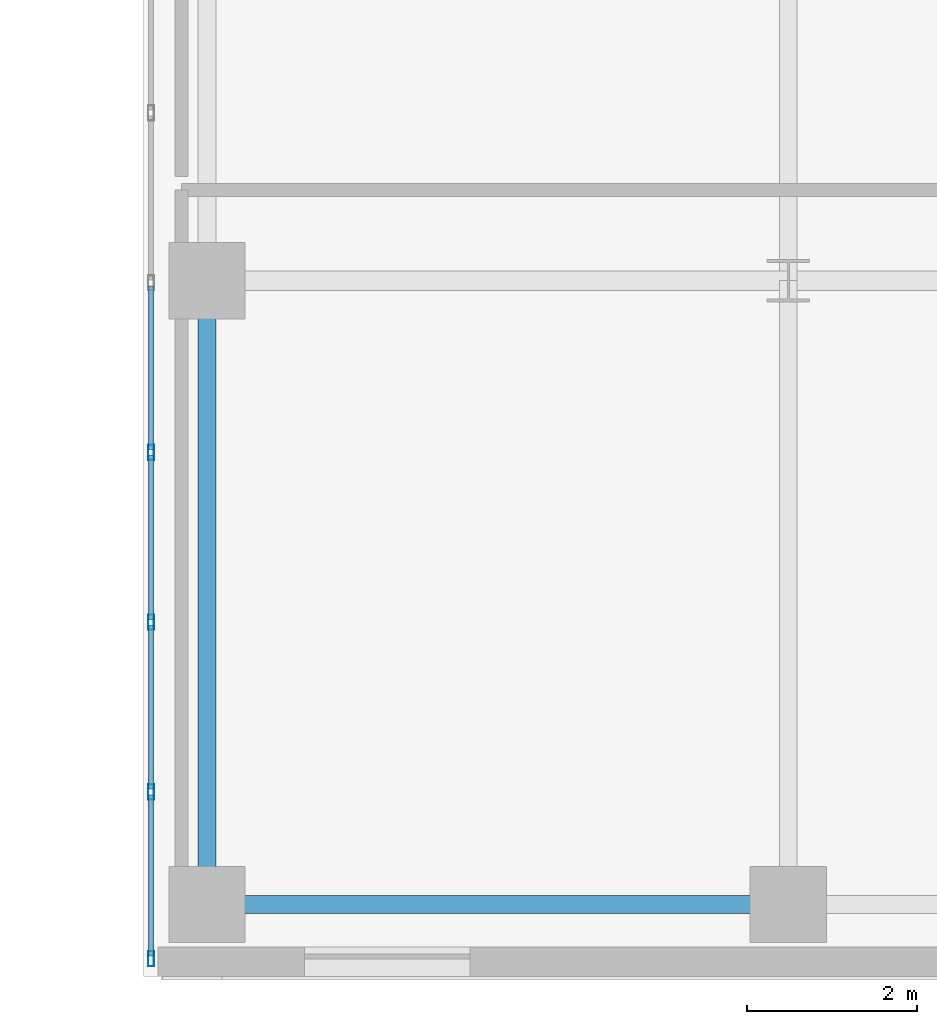
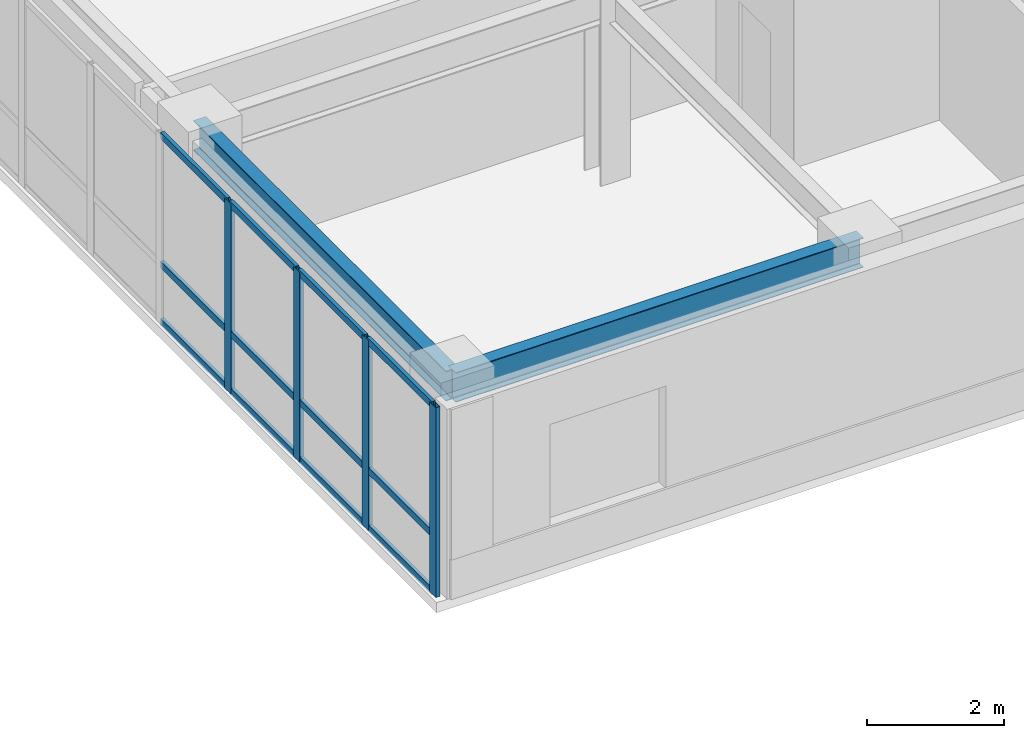
# One storey, part 7 of 24: 16 members, 2 beams, 1 element without a shape of its own.
"""IFC4 building model written with IfcOpenShell, lengths in metres."""

import ifcopenshell
import ifcopenshell.guid

model = None  # the IFC model being written
_history = None  # IfcOwnerHistory: only IFC2X3 demands one
_inside = {}  # id of a spatial element -> (the spatial element, [elements in it])
_under = {}  # id of a project, library or spatial element -> (it, [spatial elements below it])
_declared = {}  # id of a project -> (the project, [libraries it declares])
_typed = {}  # id of a type object -> (the type object, [elements of that type])
_made_of = {}  # id of a material, layer set ... -> (it, [elements and type objects made of it])


def new_model(schema):
    """Start an empty IFC model of exactly this schema.

    Asked for "IFC4X3", IfcOpenShell would pick the latest addendum, in which some entities
    have other attributes; the version numbers below select the first issue.
    IFC2X3 requires an IfcOwnerHistory on every rooted entity: one is made here for all.
    """
    global model, _history
    if schema == "IFC4X3":
        model = ifcopenshell.file(schema_version=(4, 3, 0, 0))
    else:
        model = ifcopenshell.file(schema=schema)
    _inside.clear()
    _under.clear()
    _declared.clear()
    _typed.clear()
    _made_of.clear()
    _history = None
    if model.schema == "IFC2X3":
        org = make("IfcOrganization", Name="unknown")
        user = make(
            "IfcPersonAndOrganization",
            ThePerson=make("IfcPerson", FamilyName="unknown"),
            TheOrganization=org,
        )
        app = make(
            "IfcApplication",
            ApplicationDeveloper=org,
            Version="unknown",
            ApplicationFullName="unknown",
            ApplicationIdentifier="unknown",
        )
        _history = make(
            "IfcOwnerHistory",
            OwningUser=user,
            OwningApplication=app,
            ChangeAction="ADDED",
            CreationDate=0,
        )
    return model


def make(cls, **values):
    """One entity of the class cls with the attributes given. An attribute that is None is left unset."""
    return model.create_entity(
        cls, **{name: value for name, value in values.items() if value is not None}
    )


def rooted(cls, **values):
    """An entity with a GlobalId (a new one), such as an element, a storey or a relation."""
    return make(cls, GlobalId=ifcopenshell.guid.new(), OwnerHistory=_history, **values)


def si_unit(unit_type, name, prefix=None):
    """IfcSIUnit, for example si_unit("LENGTHUNIT", "METRE", prefix="MILLI")."""
    return make("IfcSIUnit", UnitType=unit_type, Prefix=prefix, Name=name)


def assignment(units):
    """IfcUnitAssignment: the units of a project."""
    return None if units is None else make("IfcUnitAssignment", Units=units)


def point(xyz):
    """IfcCartesianPoint."""
    return None if xyz is None else make("IfcCartesianPoint", Coordinates=xyz)


def direction(xyz):
    """IfcDirection."""
    return None if xyz is None else make("IfcDirection", DirectionRatios=xyz)


def frame(location, z_axis=None, x_axis=None):
    """IfcAxis2Placement3D, a coordinate frame: its origin and axes. An axis left out is left unset."""
    return make(
        "IfcAxis2Placement3D",
        Location=point(location),
        Axis=direction(z_axis),
        RefDirection=direction(x_axis),
    )


def frame_2d(location, x_axis=None):
    """IfcAxis2Placement2D, a coordinate frame in the plane: its origin and x axis."""
    return make(
        "IfcAxis2Placement2D", Location=point(location), RefDirection=direction(x_axis)
    )


def origin():
    """The frame at (0, 0, 0) with its axes left unset."""
    return frame((0.0, 0.0, 0.0))


def origin_2d():
    """The frame at (0, 0) in the plane with its x axis left unset."""
    return frame_2d((0.0, 0.0))


def place(relative_to, where):
    """IfcLocalPlacement: puts the frame where relative to a parent placement (None: the world)."""
    return make(
        "IfcLocalPlacement", PlacementRelTo=relative_to, RelativePlacement=where
    )


def context(
    kind, dimensions, precision=None, world=None, true_north=None, identifier=None
):
    """IfcGeometricRepresentationContext, for example the 3D "Model" context."""
    return make(
        "IfcGeometricRepresentationContext",
        ContextIdentifier=identifier,
        ContextType=kind,
        CoordinateSpaceDimension=dimensions,
        Precision=precision,
        WorldCoordinateSystem=world,
        TrueNorth=true_north,
    )


def subcontext(parent, identifier, kind, view, scale=None):
    """IfcGeometricRepresentationSubContext, for example "Body" below "Model"."""
    return make(
        "IfcGeometricRepresentationSubContext",
        ContextIdentifier=identifier,
        ContextType=kind,
        ParentContext=parent,
        TargetScale=scale,
        TargetView=view,
    )


def project(units=None, contexts=None):
    """IfcProject with its units and contexts."""
    return rooted(
        "IfcProject",
        Name="project",
        RepresentationContexts=contexts,
        UnitsInContext=assignment(units),
    )


def spatial(cls, under=None, at=None, **own):
    """A site, building, storey or space (cls), placed at a placement, below another one or the project."""
    s = rooted(cls, ObjectPlacement=at, **own)
    if under is not None:
        _under.setdefault(under.id(), (under, []))[1].append(s)
    return s


def profile(cls, at=None, kind="AREA", **sizes):
    """A parametric profile (cls). Its sizes go by their IFC names, for example OverallWidth=200.0."""
    return make(cls, ProfileType=kind, Position=at, **sizes)


def hollow_rectangle(**sizes):
    """IfcRectangleHollowProfileDef."""
    return profile("IfcRectangleHollowProfileDef", **sizes)


def i_section(**sizes):
    """IfcIShapeProfileDef."""
    return profile("IfcIShapeProfileDef", **sizes)


def extrude(swept, where, along, depth):
    """IfcExtrudedAreaSolid: the profile swept, set in the frame where, extruded along a direction by depth."""
    return make(
        "IfcExtrudedAreaSolid",
        SweptArea=swept,
        Position=where,
        ExtrudedDirection=direction(along),
        Depth=depth,
    )


def shape(context_of_items, identifier, shape_type, items):
    """IfcShapeRepresentation: the items that make up one representation, for example the "Body"."""
    return make(
        "IfcShapeRepresentation",
        ContextOfItems=context_of_items,
        RepresentationIdentifier=identifier,
        RepresentationType=shape_type,
        Items=items,
    )


def source(mapping_origin, context_of_items, identifier, shape_type, items):
    """IfcRepresentationMap: a shape defined once, which mapped items show again and again."""
    return make(
        "IfcRepresentationMap",
        MappingOrigin=mapping_origin,
        MappedRepresentation=shape(context_of_items, identifier, shape_type, items),
    )


def transform(
    local_origin,
    x_axis=None,
    y_axis=None,
    z_axis=None,
    scale=None,
    scale2=None,
    scale3=None,
    uniform=True,
):
    """IfcCartesianTransformationOperator3D, or its non-uniform kind. x_axis, y_axis, z_axis: its Axis1, 2, 3."""
    if uniform:
        return make(
            "IfcCartesianTransformationOperator3D",
            Axis1=direction(x_axis),
            Axis2=direction(y_axis),
            LocalOrigin=point(local_origin),
            Scale=scale,
            Axis3=direction(z_axis),
        )
    return make(
        "IfcCartesianTransformationOperator3DnonUniform",
        Axis1=direction(x_axis),
        Axis2=direction(y_axis),
        LocalOrigin=point(local_origin),
        Scale=scale,
        Axis3=direction(z_axis),
        Scale2=scale2,
        Scale3=scale3,
    )


def mapped(mapping_source, mapping_target):
    """IfcMappedItem: shows the shape of a source again, moved by a transform."""
    return make(
        "IfcMappedItem", MappingSource=mapping_source, MappingTarget=mapping_target
    )


def material(Name=None, Category=None):
    """IfcMaterial."""
    return make("IfcMaterial", Name=Name, Category=Category)


def layer(
    of_material, thickness, ventilated=None, Name=None, Category=None, Priority=None
):
    """IfcMaterialLayer: one layer of a wall or slab, of a material (None: an air gap)."""
    return make(
        "IfcMaterialLayer",
        Material=of_material,
        LayerThickness=thickness,
        IsVentilated=ventilated,
        Name=Name,
        Category=Category,
        Priority=Priority,
    )


def layer_set(layers, Name=None):
    """IfcMaterialLayerSet."""
    return make("IfcMaterialLayerSet", MaterialLayers=layers, LayerSetName=Name)


def material_profile(
    of_material, cross_section, Name=None, Category=None, Priority=None
):
    """IfcMaterialProfile: a cross section and its material."""
    return make(
        "IfcMaterialProfile",
        Name=Name,
        Material=of_material,
        Profile=cross_section,
        Priority=Priority,
        Category=Category,
    )


def profile_set(profiles, Name=None, composite=None):
    """IfcMaterialProfileSet."""
    return make(
        "IfcMaterialProfileSet",
        Name=Name,
        MaterialProfiles=profiles,
        CompositeProfile=composite,
    )


def made_of(thing, what):
    """Note that an element or type object is made of a material, layer set ...; save() writes the relation."""
    if what is not None:
        _made_of.setdefault(what.id(), (what, []))[1].append(thing)
    return thing


def type_object(cls, material=None, **own):
    """A type object (cls), such as IfcWallType, which elements share."""
    return made_of(rooted(cls, **own), material)


def type_shapes(of_type, sources):
    """Give a type object the sources (RepresentationMaps) that its elements show as mapped items."""
    of_type.RepresentationMaps = sources


def element(
    cls,
    number,
    at=None,
    inside=None,
    cuts=None,
    type_object=None,
    material=None,
    context=None,
    identifier="Body",
    shape_type=None,
    held_by="IfcProductDefinitionShape",
    body=None,
    shapes=None,
    **own,
):
    """One element of the class cls, such as IfcWall. Its Tag is "e" and its number.

    at: its placement. inside: the storey or other place that contains it. cuts: it is an
    opening in that element (IfcRelVoidsElement). A single representation is given by context,
    identifier, shape_type and body (its items); several are given by shapes. held_by: the class
    of the entity that holds the representations. save() writes the other relations.
    """
    e = rooted(cls, Tag="e%d" % number, ObjectPlacement=at, **own)
    if body is not None:
        shapes = [shape(context, identifier, shape_type, body)]
    if shapes is not None:
        e.Representation = make(held_by, Representations=shapes)
    if inside is not None:
        _inside.setdefault(inside.id(), (inside, []))[1].append(e)
    if cuts is not None:
        rooted(
            "IfcRelVoidsElement", RelatingBuildingElement=cuts, RelatedOpeningElement=e
        )
    if type_object is not None:
        _typed.setdefault(type_object.id(), (type_object, []))[1].append(e)
    return made_of(e, material)


def aggregate(whole, parts):
    """IfcRelAggregates: a whole, such as a stair, and the parts it consists of."""
    return rooted("IfcRelAggregates", RelatingObject=whole, RelatedObjects=parts)


def save(model, path):
    """Write the relations noted so far, then the file.

    IfcRelAggregates (storeys below a building ...), IfcRelContainedInSpatialStructure (elements
    in a storey), IfcRelDefinesByType, IfcRelAssociatesMaterial and IfcRelDeclares: one each for
    every whole, place, type object, material and project.
    """
    for whole, parts in _under.values():
        aggregate(whole, parts)
    for where, things in _inside.values():
        rooted(
            "IfcRelContainedInSpatialStructure",
            RelatedElements=things,
            RelatingStructure=where,
        )
    for kind, things in _typed.values():
        rooted("IfcRelDefinesByType", RelatedObjects=things, RelatingType=kind)
    for what, things in _made_of.values():
        rooted("IfcRelAssociatesMaterial", RelatedObjects=things, RelatingMaterial=what)
    for by, libraries in _declared.values():
        rooted("IfcRelDeclares", RelatingContext=by, RelatedDefinitions=libraries)
    model.write(path)


model = new_model("IFC4")

# Units and contexts
model_context = context("Model", 3, precision=1e-05, world=origin(), true_north=direction((0.0, 1.0)))
body_context = subcontext(model_context, "Body", "Model", "MODEL_VIEW")
ifc_project = project(units=[si_unit("LENGTHUNIT", "METRE"), si_unit("AREAUNIT", "SQUARE_METRE"), si_unit("VOLUMEUNIT", "CUBIC_METRE"), si_unit("PLANEANGLEUNIT", "RADIAN"), si_unit("MASSUNIT", "GRAM", prefix="KILO")], contexts=[model_context])

# Site, building, storey
site_placement = place(None, origin())
site = spatial("IfcSite", under=ifc_project, at=site_placement, CompositionType="ELEMENT")
building_placement = place(site_placement, origin())
building = spatial("IfcBuilding", under=site, at=building_placement, Name="Tolvann Quenvar Hotel", CompositionType="ELEMENT")
storey_placement = place(building_placement, frame((0.0, 0.0, 88.800048828125)))
storey = spatial("IfcBuildingStorey", under=building, at=storey_placement, Name="L22", CompositionType="ELEMENT", Elevation=88.800048828125)

# Beams
ifc_material_1 = material(Name="Steel Grade 350", Category="steel")
ifc_material_profile_1 = material_profile(ifc_material_1, i_section(OverallWidth=0.208984375, OverallDepth=0.528076171875, WebThickness=0.009521484375, FlangeThickness=0.01318359375, FilletRadius=0.013916015625, at=origin_2d()), Name="530UB82")
ifc_profile_set_1 = profile_set([ifc_material_profile_1], Name="Steel Grade 350")
beam_type_1 = type_object("IfcBeamType", Name="BM_SPAND_530UB82", PredefinedType="SPANDREL", material=ifc_profile_set_1)
shared_shape_1 = source(origin(), body_context, "Body", "SweptSolid", [
    extrude(i_section(OverallWidth=0.208984375, OverallDepth=0.528076171875, WebThickness=0.009521484375, FlangeThickness=0.01318359375, FilletRadius=0.013916015625, at=origin_2d()), origin(), (0.0, 0.0, 1.0), 6.85009765625),
])
type_shapes(beam_type_1, [shared_shape_1])
beam_1_placement = place(storey_placement, frame((34.949951171875, 0.85009765625, 3.10595703125), z_axis=(1.0, 0.0, 0.0), x_axis=(0.0, 1.0, 0.0)))
element("IfcBeam", 1, at=beam_1_placement, inside=storey, type_object=beam_type_1, Name="BM-L22-EW-2-F2-H2", PredefinedType="SPANDREL", context=body_context, shape_type="MappedRepresentation", body=[
    mapped(shared_shape_1, transform((0.0, 0.0, 0.0), x_axis=(1.0, 0.0, 0.0), y_axis=(0.0, 1.0, 0.0), z_axis=(0.0, 0.0, 1.0), scale=1.0)),
])
ifc_material_profile_2 = material_profile(ifc_material_1, i_section(OverallWidth=0.208984375, OverallDepth=0.532958984375, WebThickness=0.01025390625, FlangeThickness=0.015625, FilletRadius=0.013916015625, at=origin_2d()), Name="530UB92")
ifc_profile_set_2 = profile_set([ifc_material_profile_2], Name="Steel Grade 350")
beam_type_2 = type_object("IfcBeamType", Name="BM_GIRD_530UB92", PredefinedType="BEAM", material=ifc_profile_set_2)
shared_shape_2 = source(origin(), body_context, "Body", "SweptSolid", [
    extrude(i_section(OverallWidth=0.208984375, OverallDepth=0.532958984375, WebThickness=0.01025390625, FlangeThickness=0.015625, FilletRadius=0.013916015625, at=origin_2d()), origin(), (0.0, 0.0, 1.0), 7.349853515625),
])
type_shapes(beam_type_2, [shared_shape_2])
beam_2_placement = place(storey_placement, frame((34.949951171875, 0.85009765625, 3.103515625), z_axis=(0.0, 1.0, 0.0), x_axis=(-1.0, 0.0, 0.0)))
element("IfcBeam", 2, at=beam_2_placement, inside=storey, type_object=beam_type_2, Name="BM-L22-NS-F2-F3", PredefinedType="BEAM", context=body_context, shape_type="MappedRepresentation", body=[
    mapped(shared_shape_2, transform((0.0, 0.0, 0.0), x_axis=(1.0, 0.0, 0.0), y_axis=(0.0, 1.0, 0.0), z_axis=(0.0, 0.0, 1.0), scale=1.0)),
])

# Curtain wall, members
ifc_material_2 = material(Name="Thermally broken anodised architectural aluminium 6063-T6 and laminated low-E glass", Category="aluminium")
ifc_layer = layer(ifc_material_2, 0.179931640625)
ifc_layer_set = layer_set([ifc_layer], Name="Thermally broken anodised architectural aluminium 6063-T6 and laminated low-E glass")
curtain_wall_type = type_object("IfcCurtainWallType", Name="CW_SYS_SLOT_03", PredefinedType="USERDEFINED", material=ifc_layer_set)
curtain_wall_placement = place(storey_placement, origin())
curtain_wall = element("IfcCurtainWall", 3, at=curtain_wall_placement, inside=storey, type_object=curtain_wall_type, Name="Curtain Wall CW-SLOT-03 (CWR-L22-E07)", ObjectType="UNITISED CURTAIN WALL", PredefinedType="USERDEFINED")
ifc_material_3 = material(Name="Anodised architectural aluminium 6063-T6 framing", Category="aluminium")
ifc_material_profile_3 = material_profile(ifc_material_3, hollow_rectangle(XDim=0.06005859375, YDim=0.1201171875, WallThickness=0.00341796875, at=origin_2d()), Name="120x60x3.5RHS")
ifc_profile_set_3 = profile_set([ifc_material_profile_3], Name="Anodised architectural aluminium 6063-T6 framing")
member_type_1 = type_object("IfcMemberType", Name="CW_TRAN_120x60", PredefinedType="USERDEFINED", material=ifc_profile_set_3)
shared_shape_3 = source(origin(), body_context, "Body", "SweptSolid", [
    extrude(hollow_rectangle(XDim=0.06005859375, YDim=0.1201171875, WallThickness=0.00341796875, at=origin_2d()), origin(), (0.0, 0.0, 1.0), 1.894775390625),
])
member_1_placement = place(storey_placement, frame((34.2900390625, 2.139892578125, 0.030029296875), z_axis=(0.0, -1.0, 0.0), x_axis=(1.0, 0.0, 0.0)))
member_1 = element("IfcMember", 4, at=member_1_placement, type_object=member_type_1, Name="CW-SLOT-03 transom 8.1", ObjectType="TRANSOM", PredefinedType="USERDEFINED", context=body_context, shape_type="MappedRepresentation", body=[
    mapped(shared_shape_3, transform((0.0, 0.0, 0.0), x_axis=(1.0, 0.0, 0.0), y_axis=(0.0, 1.0, 0.0), z_axis=(0.0, 0.0, 1.0), scale=1.0)),
])
member_2_placement = place(storey_placement, frame((34.2900390625, 2.139892578125, 1.050048828125), z_axis=(0.0, -1.0, 0.0), x_axis=(1.0, 0.0, 0.0)))
member_2 = element("IfcMember", 5, at=member_2_placement, type_object=member_type_1, Name="CW-SLOT-03 transom 8.2", ObjectType="TRANSOM", PredefinedType="USERDEFINED", context=body_context, shape_type="MappedRepresentation", body=[
    mapped(shared_shape_3, transform((0.0, 0.0, 0.0), x_axis=(1.0, 0.0, 0.0), y_axis=(0.0, 1.0, 0.0), z_axis=(0.0, 0.0, 1.0), scale=1.0)),
])
member_3_placement = place(storey_placement, frame((34.2900390625, 2.139892578125, 3.33984375), z_axis=(0.0, -1.0, 0.0), x_axis=(1.0, 0.0, 0.0)))
member_3 = element("IfcMember", 6, at=member_3_placement, type_object=member_type_1, Name="CW-SLOT-03 transom 8.3", ObjectType="TRANSOM", PredefinedType="USERDEFINED", context=body_context, shape_type="MappedRepresentation", body=[
    mapped(shared_shape_3, transform((0.0, 0.0, 0.0), x_axis=(1.0, 0.0, 0.0), y_axis=(0.0, 1.0, 0.0), z_axis=(0.0, 0.0, 1.0), scale=1.0)),
])
shared_shape_4 = source(origin(), body_context, "Body", "SweptSolid", [
    extrude(hollow_rectangle(XDim=0.06005859375, YDim=0.1201171875, WallThickness=0.00341796875, at=origin_2d()), origin(), (0.0, 0.0, 1.0), 1.929931640625),
])
type_shapes(member_type_1, [shared_shape_3, shared_shape_4])
member_4_placement = place(storey_placement, frame((34.2900390625, 8.139892578125, 0.030029296875), z_axis=(0.0, -1.0, 0.0), x_axis=(1.0, 0.0, 0.0)))
member_4 = element("IfcMember", 7, at=member_4_placement, type_object=member_type_1, Name="CW-SLOT-03 transom 5.1", ObjectType="TRANSOM", PredefinedType="USERDEFINED", context=body_context, shape_type="MappedRepresentation", body=[
    mapped(shared_shape_4, transform((0.0, 0.0, 0.0), x_axis=(1.0, 0.0, 0.0), y_axis=(0.0, 1.0, 0.0), z_axis=(0.0, 0.0, 1.0), scale=1.0)),
])
member_5_placement = place(storey_placement, frame((34.2900390625, 8.139892578125, 1.050048828125), z_axis=(0.0, -1.0, 0.0), x_axis=(1.0, 0.0, 0.0)))
member_5 = element("IfcMember", 8, at=member_5_placement, type_object=member_type_1, Name="CW-SLOT-03 transom 5.2", ObjectType="TRANSOM", PredefinedType="USERDEFINED", context=body_context, shape_type="MappedRepresentation", body=[
    mapped(shared_shape_4, transform((0.0, 0.0, 0.0), x_axis=(1.0, 0.0, 0.0), y_axis=(0.0, 1.0, 0.0), z_axis=(0.0, 0.0, 1.0), scale=1.0)),
])
member_6_placement = place(storey_placement, frame((34.2900390625, 8.139892578125, 3.33984375), z_axis=(0.0, -1.0, 0.0), x_axis=(1.0, 0.0, 0.0)))
member_6 = element("IfcMember", 9, at=member_6_placement, type_object=member_type_1, Name="CW-SLOT-03 transom 5.3", ObjectType="TRANSOM", PredefinedType="USERDEFINED", context=body_context, shape_type="MappedRepresentation", body=[
    mapped(shared_shape_4, transform((0.0, 0.0, 0.0), x_axis=(1.0, 0.0, 0.0), y_axis=(0.0, 1.0, 0.0), z_axis=(0.0, 0.0, 1.0), scale=1.0)),
])
member_7_placement = place(storey_placement, frame((34.2900390625, 6.139892578125, 0.030029296875), z_axis=(0.0, -1.0, 0.0), x_axis=(1.0, 0.0, 0.0)))
member_7 = element("IfcMember", 10, at=member_7_placement, type_object=member_type_1, Name="CW-SLOT-03 transom 6.1", ObjectType="TRANSOM", PredefinedType="USERDEFINED", context=body_context, shape_type="MappedRepresentation", body=[
    mapped(shared_shape_4, transform((0.0, 0.0, 0.0), x_axis=(1.0, 0.0, 0.0), y_axis=(0.0, 1.0, 0.0), z_axis=(0.0, 0.0, 1.0), scale=1.0)),
])
member_8_placement = place(storey_placement, frame((34.2900390625, 6.139892578125, 1.050048828125), z_axis=(0.0, -1.0, 0.0), x_axis=(1.0, 0.0, 0.0)))
member_8 = element("IfcMember", 11, at=member_8_placement, type_object=member_type_1, Name="CW-SLOT-03 transom 6.2", ObjectType="TRANSOM", PredefinedType="USERDEFINED", context=body_context, shape_type="MappedRepresentation", body=[
    mapped(shared_shape_4, transform((0.0, 0.0, 0.0), x_axis=(1.0, 0.0, 0.0), y_axis=(0.0, 1.0, 0.0), z_axis=(0.0, 0.0, 1.0), scale=1.0)),
])
member_9_placement = place(storey_placement, frame((34.2900390625, 6.139892578125, 3.33984375), z_axis=(0.0, -1.0, 0.0), x_axis=(1.0, 0.0, 0.0)))
member_9 = element("IfcMember", 12, at=member_9_placement, type_object=member_type_1, Name="CW-SLOT-03 transom 6.3", ObjectType="TRANSOM", PredefinedType="USERDEFINED", context=body_context, shape_type="MappedRepresentation", body=[
    mapped(shared_shape_4, transform((0.0, 0.0, 0.0), x_axis=(1.0, 0.0, 0.0), y_axis=(0.0, 1.0, 0.0), z_axis=(0.0, 0.0, 1.0), scale=1.0)),
])
member_10_placement = place(storey_placement, frame((34.2900390625, 4.139892578125, 0.030029296875), z_axis=(0.0, -1.0, 0.0), x_axis=(1.0, 0.0, 0.0)))
member_10 = element("IfcMember", 13, at=member_10_placement, type_object=member_type_1, Name="CW-SLOT-03 transom 7.1", ObjectType="TRANSOM", PredefinedType="USERDEFINED", context=body_context, shape_type="MappedRepresentation", body=[
    mapped(shared_shape_4, transform((0.0, 0.0, 0.0), x_axis=(1.0, 0.0, 0.0), y_axis=(0.0, 1.0, 0.0), z_axis=(0.0, 0.0, 1.0), scale=1.0)),
])
member_11_placement = place(storey_placement, frame((34.2900390625, 4.139892578125, 1.050048828125), z_axis=(0.0, -1.0, 0.0), x_axis=(1.0, 0.0, 0.0)))
member_11 = element("IfcMember", 14, at=member_11_placement, type_object=member_type_1, Name="CW-SLOT-03 transom 7.2", ObjectType="TRANSOM", PredefinedType="USERDEFINED", context=body_context, shape_type="MappedRepresentation", body=[
    mapped(shared_shape_4, transform((0.0, 0.0, 0.0), x_axis=(1.0, 0.0, 0.0), y_axis=(0.0, 1.0, 0.0), z_axis=(0.0, 0.0, 1.0), scale=1.0)),
])
member_12_placement = place(storey_placement, frame((34.2900390625, 4.139892578125, 3.33984375), z_axis=(0.0, -1.0, 0.0), x_axis=(1.0, 0.0, 0.0)))
member_12 = element("IfcMember", 15, at=member_12_placement, type_object=member_type_1, Name="CW-SLOT-03 transom 7.3", ObjectType="TRANSOM", PredefinedType="USERDEFINED", context=body_context, shape_type="MappedRepresentation", body=[
    mapped(shared_shape_4, transform((0.0, 0.0, 0.0), x_axis=(1.0, 0.0, 0.0), y_axis=(0.0, 1.0, 0.0), z_axis=(0.0, 0.0, 1.0), scale=1.0)),
])
ifc_material_profile_4 = material_profile(ifc_material_3, hollow_rectangle(XDim=0.070068359375, YDim=0.179931640625, WallThickness=0.00390625, at=origin_2d()), Name="180x70x4RHS")
ifc_profile_set_4 = profile_set([ifc_material_profile_4], Name="Anodised architectural aluminium 6063-T6 framing")
member_type_2 = type_object("IfcMemberType", Name="CW_MULL_180x70", PredefinedType="MULLION", material=ifc_profile_set_4)
shared_shape_5 = source(origin(), body_context, "Body", "SweptSolid", [
    extrude(hollow_rectangle(XDim=0.070068359375, YDim=0.179931640625, WallThickness=0.00390625, at=origin_2d()), origin(), (0.0, 0.0, 1.0), 3.369873046875),
])
type_shapes(member_type_2, [shared_shape_5])
member_13_placement = place(storey_placement, frame((34.2900390625, 6.175048828125, 0.0), z_axis=(0.0, 0.0, 1.0), x_axis=(1.0, 0.0, 0.0)))
member_13 = element("IfcMember", 16, at=member_13_placement, type_object=member_type_2, Name="CW-SLOT-03 mullion 6", PredefinedType="MULLION", context=body_context, shape_type="MappedRepresentation", body=[
    mapped(shared_shape_5, transform((0.0, 0.0, 0.0), x_axis=(1.0, 0.0, 0.0), y_axis=(0.0, 1.0, 0.0), z_axis=(0.0, 0.0, 1.0), scale=1.0)),
])
member_14_placement = place(storey_placement, frame((34.2900390625, 4.175048828125, 0.0), z_axis=(0.0, 0.0, 1.0), x_axis=(1.0, 0.0, 0.0)))
member_14 = element("IfcMember", 17, at=member_14_placement, type_object=member_type_2, Name="CW-SLOT-03 mullion 7", PredefinedType="MULLION", context=body_context, shape_type="MappedRepresentation", body=[
    mapped(shared_shape_5, transform((0.0, 0.0, 0.0), x_axis=(1.0, 0.0, 0.0), y_axis=(0.0, 1.0, 0.0), z_axis=(0.0, 0.0, 1.0), scale=1.0)),
])
member_15_placement = place(storey_placement, frame((34.2900390625, 2.175048828125, 0.0), z_axis=(0.0, 0.0, 1.0), x_axis=(1.0, 0.0, 0.0)))
member_15 = element("IfcMember", 18, at=member_15_placement, type_object=member_type_2, Name="CW-SLOT-03 mullion 8", PredefinedType="MULLION", context=body_context, shape_type="MappedRepresentation", body=[
    mapped(shared_shape_5, transform((0.0, 0.0, 0.0), x_axis=(1.0, 0.0, 0.0), y_axis=(0.0, 1.0, 0.0), z_axis=(0.0, 0.0, 1.0), scale=1.0)),
])
member_16_placement = place(storey_placement, frame((34.2900390625, 0.2099609375, 0.0), z_axis=(0.0, 0.0, 1.0), x_axis=(1.0, 0.0, 0.0)))
member_16 = element("IfcMember", 19, at=member_16_placement, type_object=member_type_2, Name="CW-SLOT-03 mullion 9", PredefinedType="MULLION", context=body_context, shape_type="MappedRepresentation", body=[
    mapped(shared_shape_5, transform((0.0, 0.0, 0.0), x_axis=(1.0, 0.0, 0.0), y_axis=(0.0, 1.0, 0.0), z_axis=(0.0, 0.0, 1.0), scale=1.0)),
])
aggregate(curtain_wall, [member_13, member_14, member_15, member_16, member_4, member_5, member_6, member_7, member_8, member_9, member_10, member_11, member_12, member_1, member_2, member_3])

save(model, "model.ifc")
